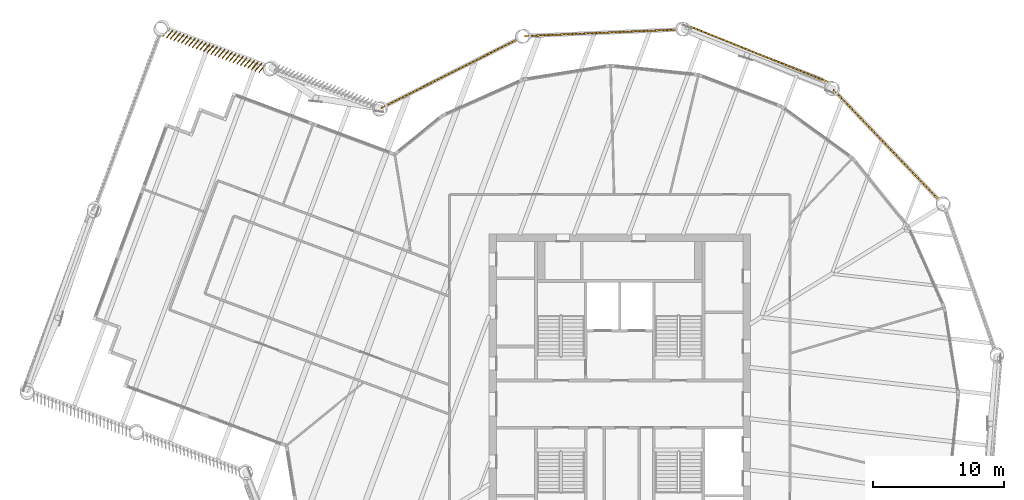
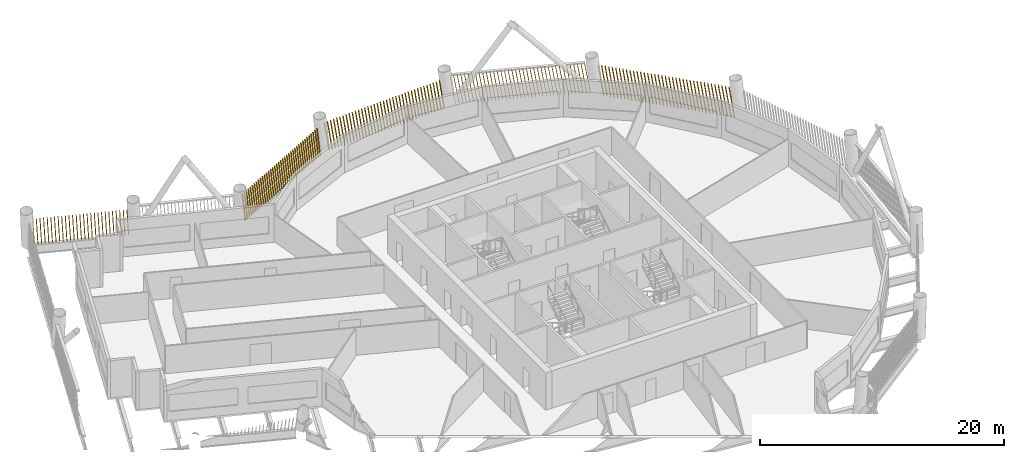
# One storey, part 21 of 22: 5 shading devices.
"""IFC4 building model written with IfcOpenShell, lengths in metres."""

from ifc_helpers import new_model, si_unit, direction, frame, frame_2d, origin, place, context, subcontext, project, spatial, rectangle, composite_profile, extrude, material, type_object, element, save


model = new_model("IFC4")

# Units and contexts
model_context = context("Model", 3, precision=1e-05, world=origin(), true_north=direction((0.0, 1.0)))
body_context = subcontext(model_context, "Body", "Model", "MODEL_VIEW")
ifc_project = project(units=[si_unit("LENGTHUNIT", "METRE"), si_unit("AREAUNIT", "SQUARE_METRE"), si_unit("VOLUMEUNIT", "CUBIC_METRE"), si_unit("PLANEANGLEUNIT", "RADIAN"), si_unit("MASSUNIT", "GRAM", prefix="KILO")], contexts=[model_context])

# Site, building, storey
site_placement = place(None, origin())
site = spatial("IfcSite", under=ifc_project, at=site_placement, CompositionType="ELEMENT")
building_placement = place(site_placement, origin())
building = spatial("IfcBuilding", under=site, at=building_placement, Name="Tarsis Ring Headquarters", CompositionType="ELEMENT")
storey_placement = place(building_placement, frame((0.0, 0.0, 200.39990234375)))
storey = spatial("IfcBuildingStorey", under=building, at=storey_placement, Name="L46", CompositionType="ELEMENT", Elevation=200.39990234375)

# Shading devices
ifc_material = material(Name="Terracotta baguette", Category="masonry")
shading_device_type = type_object("IfcShadingDeviceType", Name="Terracotta baguette screen", PredefinedType="USERDEFINED", material=ifc_material)
shading_device_1_placement = place(storey_placement, frame((24.406494140625, 15.56494140625, 0.0), z_axis=(0.0, 0.0, 1.0), x_axis=(-0.691270943658, 0.722588766386, 0.0)))
element("IfcShadingDevice", 1, at=shading_device_1_placement, inside=storey, type_object=shading_device_type, Name="Baguette screen L46-11", ObjectType="Terracotta baguette screen", PredefinedType="USERDEFINED", context=body_context, shape_type="SweptSolid", body=[
    extrude(composite_profile([rectangle(XDim=0.06005859375, YDim=0.1201171875, at=frame_2d((0.030029296875, 0.0))), rectangle(XDim=0.06005859375, YDim=0.1201171875, at=frame_2d((0.33251953125, 0.0))), rectangle(XDim=0.06005859375, YDim=0.1201171875, at=frame_2d((0.634765625, 0.0))), rectangle(XDim=0.06005859375, YDim=0.1201171875, at=frame_2d((0.937255859375, 0.0))), rectangle(XDim=0.06005859375, YDim=0.1201171875, at=frame_2d((1.239501953125, 0.0))), rectangle(XDim=0.06005859375, YDim=0.1201171875, at=frame_2d((1.5419921875, 0.0))), rectangle(XDim=0.06005859375, YDim=0.1201171875, at=frame_2d((1.844482421875, 0.0))), rectangle(XDim=0.06005859375, YDim=0.1201171875, at=frame_2d((2.146728515625, 0.0))), rectangle(XDim=0.06005859375, YDim=0.1201171875, at=frame_2d((2.44921875, 0.0))), rectangle(XDim=0.06005859375, YDim=0.1201171875, at=frame_2d((2.751708984375, 0.0))), rectangle(XDim=0.06005859375, YDim=0.1201171875, at=frame_2d((3.053955078125, 0.0))), rectangle(XDim=0.06005859375, YDim=0.1201171875, at=frame_2d((3.3564453125, 0.0))), rectangle(XDim=0.06005859375, YDim=0.1201171875, at=frame_2d((3.65869140625, 0.0))), rectangle(XDim=0.06005859375, YDim=0.1201171875, at=frame_2d((3.961181640625, 0.0))), rectangle(XDim=0.06005859375, YDim=0.1201171875, at=frame_2d((4.263671875, 0.0))), rectangle(XDim=0.06005859375, YDim=0.1201171875, at=frame_2d((4.56591796875, 0.0))), rectangle(XDim=0.06005859375, YDim=0.1201171875, at=frame_2d((4.868408203125, 0.0))), rectangle(XDim=0.06005859375, YDim=0.1201171875, at=frame_2d((5.1708984375, 0.0))), rectangle(XDim=0.06005859375, YDim=0.1201171875, at=frame_2d((5.47314453125, 0.0))), rectangle(XDim=0.06005859375, YDim=0.1201171875, at=frame_2d((5.775634765625, 0.0))), rectangle(XDim=0.06005859375, YDim=0.1201171875, at=frame_2d((6.077880859375, 0.0))), rectangle(XDim=0.06005859375, YDim=0.1201171875, at=frame_2d((6.38037109375, 0.0))), rectangle(XDim=0.06005859375, YDim=0.1201171875, at=frame_2d((6.682861328125, 0.0))), rectangle(XDim=0.06005859375, YDim=0.1201171875, at=frame_2d((6.985107421875, 0.0))), rectangle(XDim=0.06005859375, YDim=0.1201171875, at=frame_2d((7.28759765625, 0.0))), rectangle(XDim=0.06005859375, YDim=0.1201171875, at=frame_2d((7.590087890625, 0.0))), rectangle(XDim=0.06005859375, YDim=0.1201171875, at=frame_2d((7.892333984375, 0.0))), rectangle(XDim=0.06005859375, YDim=0.1201171875, at=frame_2d((8.19482421875, 0.0))), rectangle(XDim=0.06005859375, YDim=0.1201171875, at=frame_2d((8.4970703125, 0.0))), rectangle(XDim=0.06005859375, YDim=0.1201171875, at=frame_2d((8.799560546875, 0.0))), rectangle(XDim=0.06005859375, YDim=0.1201171875, at=frame_2d((9.10205078125, 0.0))), rectangle(XDim=0.06005859375, YDim=0.1201171875, at=frame_2d((9.404296875, 0.0))), rectangle(XDim=0.06005859375, YDim=0.1201171875, at=frame_2d((9.706787109375, 0.0))), rectangle(XDim=0.06005859375, YDim=0.1201171875, at=frame_2d((10.00927734375, 0.0))), rectangle(XDim=0.06005859375, YDim=0.1201171875, at=frame_2d((10.3115234375, 0.0))), rectangle(XDim=0.06005859375, YDim=0.1201171875, at=frame_2d((10.614013671875, 0.0))), rectangle(XDim=0.06005859375, YDim=0.1201171875, at=frame_2d((10.916259765625, 0.0))), rectangle(XDim=0.06005859375, YDim=0.1201171875, at=frame_2d((11.21875, 0.0)))]), origin(), (0.159202617303, 0.001334054598, 0.987245028826), 2.98828125),
])
shading_device_2_placement = place(storey_placement, frame((15.9609375, 24.589111328125, 0.0), z_axis=(0.0, 0.0, 1.0), x_axis=(-0.927662991579, 0.373426512718, 0.0)))
element("IfcShadingDevice", 2, at=shading_device_2_placement, inside=storey, type_object=shading_device_type, Name="Baguette screen L46-12", ObjectType="Terracotta baguette screen", PredefinedType="USERDEFINED", context=body_context, shape_type="SweptSolid", body=[
    extrude(composite_profile([rectangle(XDim=0.06005859375, YDim=0.1201171875, at=frame_2d((0.030029296875, 0.0))), rectangle(XDim=0.06005859375, YDim=0.1201171875, at=frame_2d((0.33251953125, 0.0))), rectangle(XDim=0.06005859375, YDim=0.1201171875, at=frame_2d((0.634765625, 0.0))), rectangle(XDim=0.06005859375, YDim=0.1201171875, at=frame_2d((0.937255859375, 0.0))), rectangle(XDim=0.06005859375, YDim=0.1201171875, at=frame_2d((1.239501953125, 0.0))), rectangle(XDim=0.06005859375, YDim=0.1201171875, at=frame_2d((1.5419921875, 0.0))), rectangle(XDim=0.06005859375, YDim=0.1201171875, at=frame_2d((1.844482421875, 0.0))), rectangle(XDim=0.06005859375, YDim=0.1201171875, at=frame_2d((2.146728515625, 0.0))), rectangle(XDim=0.06005859375, YDim=0.1201171875, at=frame_2d((2.44921875, 0.0))), rectangle(XDim=0.06005859375, YDim=0.1201171875, at=frame_2d((2.751708984375, 0.0))), rectangle(XDim=0.06005859375, YDim=0.1201171875, at=frame_2d((3.053955078125, 0.0))), rectangle(XDim=0.06005859375, YDim=0.1201171875, at=frame_2d((3.3564453125, 0.0))), rectangle(XDim=0.06005859375, YDim=0.1201171875, at=frame_2d((3.65869140625, 0.0))), rectangle(XDim=0.06005859375, YDim=0.1201171875, at=frame_2d((3.961181640625, 0.0))), rectangle(XDim=0.06005859375, YDim=0.1201171875, at=frame_2d((4.263671875, 0.0))), rectangle(XDim=0.06005859375, YDim=0.1201171875, at=frame_2d((4.56591796875, 0.0))), rectangle(XDim=0.06005859375, YDim=0.1201171875, at=frame_2d((4.868408203125, 0.0))), rectangle(XDim=0.06005859375, YDim=0.1201171875, at=frame_2d((5.1708984375, 0.0))), rectangle(XDim=0.06005859375, YDim=0.1201171875, at=frame_2d((5.47314453125, 0.0))), rectangle(XDim=0.06005859375, YDim=0.1201171875, at=frame_2d((5.775634765625, 0.0))), rectangle(XDim=0.06005859375, YDim=0.1201171875, at=frame_2d((6.077880859375, 0.0))), rectangle(XDim=0.06005859375, YDim=0.1201171875, at=frame_2d((6.38037109375, 0.0))), rectangle(XDim=0.06005859375, YDim=0.1201171875, at=frame_2d((6.682861328125, 0.0))), rectangle(XDim=0.06005859375, YDim=0.1201171875, at=frame_2d((6.985107421875, 0.0))), rectangle(XDim=0.06005859375, YDim=0.1201171875, at=frame_2d((7.28759765625, 0.0))), rectangle(XDim=0.06005859375, YDim=0.1201171875, at=frame_2d((7.590087890625, 0.0))), rectangle(XDim=0.06005859375, YDim=0.1201171875, at=frame_2d((7.892333984375, 0.0))), rectangle(XDim=0.06005859375, YDim=0.1201171875, at=frame_2d((8.19482421875, 0.0))), rectangle(XDim=0.06005859375, YDim=0.1201171875, at=frame_2d((8.4970703125, 0.0))), rectangle(XDim=0.06005859375, YDim=0.1201171875, at=frame_2d((8.799560546875, 0.0))), rectangle(XDim=0.06005859375, YDim=0.1201171875, at=frame_2d((9.10205078125, 0.0))), rectangle(XDim=0.06005859375, YDim=0.1201171875, at=frame_2d((9.404296875, 0.0))), rectangle(XDim=0.06005859375, YDim=0.1201171875, at=frame_2d((9.706787109375, 0.0))), rectangle(XDim=0.06005859375, YDim=0.1201171875, at=frame_2d((10.00927734375, 0.0))), rectangle(XDim=0.06005859375, YDim=0.1201171875, at=frame_2d((10.3115234375, 0.0))), rectangle(XDim=0.06005859375, YDim=0.1201171875, at=frame_2d((10.614013671875, 0.0))), rectangle(XDim=0.06005859375, YDim=0.1201171875, at=frame_2d((10.916259765625, 0.0))), rectangle(XDim=0.06005859375, YDim=0.1201171875, at=frame_2d((11.21875, 0.0)))]), origin(), (0.161252177966, 0.001353105628, 0.986912308266), 2.9892578125),
])
shading_device_3_placement = place(storey_placement, frame((4.42236328125, 28.607421875, 0.0), z_axis=(0.0, 0.0, 1.0), x_axis=(-0.999110165813, -0.042147755882, 0.0)))
element("IfcShadingDevice", 3, at=shading_device_3_placement, inside=storey, type_object=shading_device_type, Name="Baguette screen L46-13", ObjectType="Terracotta baguette screen", PredefinedType="USERDEFINED", context=body_context, shape_type="SweptSolid", body=[
    extrude(composite_profile([rectangle(XDim=0.06005859375, YDim=0.1201171875, at=frame_2d((0.030029296875, 0.0))), rectangle(XDim=0.06005859375, YDim=0.1201171875, at=frame_2d((0.33251953125, 0.0))), rectangle(XDim=0.06005859375, YDim=0.1201171875, at=frame_2d((0.634765625, 0.0))), rectangle(XDim=0.06005859375, YDim=0.1201171875, at=frame_2d((0.937255859375, 0.0))), rectangle(XDim=0.06005859375, YDim=0.1201171875, at=frame_2d((1.239501953125, 0.0))), rectangle(XDim=0.06005859375, YDim=0.1201171875, at=frame_2d((1.5419921875, 0.0))), rectangle(XDim=0.06005859375, YDim=0.1201171875, at=frame_2d((1.844482421875, 0.0))), rectangle(XDim=0.06005859375, YDim=0.1201171875, at=frame_2d((2.146728515625, 0.0))), rectangle(XDim=0.06005859375, YDim=0.1201171875, at=frame_2d((2.44921875, 0.0))), rectangle(XDim=0.06005859375, YDim=0.1201171875, at=frame_2d((2.751708984375, 0.0))), rectangle(XDim=0.06005859375, YDim=0.1201171875, at=frame_2d((3.053955078125, 0.0))), rectangle(XDim=0.06005859375, YDim=0.1201171875, at=frame_2d((3.3564453125, 0.0))), rectangle(XDim=0.06005859375, YDim=0.1201171875, at=frame_2d((3.65869140625, 0.0))), rectangle(XDim=0.06005859375, YDim=0.1201171875, at=frame_2d((3.961181640625, 0.0))), rectangle(XDim=0.06005859375, YDim=0.1201171875, at=frame_2d((4.263671875, 0.0))), rectangle(XDim=0.06005859375, YDim=0.1201171875, at=frame_2d((4.56591796875, 0.0))), rectangle(XDim=0.06005859375, YDim=0.1201171875, at=frame_2d((4.868408203125, 0.0))), rectangle(XDim=0.06005859375, YDim=0.1201171875, at=frame_2d((5.1708984375, 0.0))), rectangle(XDim=0.06005859375, YDim=0.1201171875, at=frame_2d((5.47314453125, 0.0))), rectangle(XDim=0.06005859375, YDim=0.1201171875, at=frame_2d((5.775634765625, 0.0))), rectangle(XDim=0.06005859375, YDim=0.1201171875, at=frame_2d((6.077880859375, 0.0))), rectangle(XDim=0.06005859375, YDim=0.1201171875, at=frame_2d((6.38037109375, 0.0))), rectangle(XDim=0.06005859375, YDim=0.1201171875, at=frame_2d((6.682861328125, 0.0))), rectangle(XDim=0.06005859375, YDim=0.1201171875, at=frame_2d((6.985107421875, 0.0))), rectangle(XDim=0.06005859375, YDim=0.1201171875, at=frame_2d((7.28759765625, 0.0))), rectangle(XDim=0.06005859375, YDim=0.1201171875, at=frame_2d((7.590087890625, 0.0))), rectangle(XDim=0.06005859375, YDim=0.1201171875, at=frame_2d((7.892333984375, 0.0))), rectangle(XDim=0.06005859375, YDim=0.1201171875, at=frame_2d((8.19482421875, 0.0))), rectangle(XDim=0.06005859375, YDim=0.1201171875, at=frame_2d((8.4970703125, 0.0))), rectangle(XDim=0.06005859375, YDim=0.1201171875, at=frame_2d((8.799560546875, 0.0))), rectangle(XDim=0.06005859375, YDim=0.1201171875, at=frame_2d((9.10205078125, 0.0))), rectangle(XDim=0.06005859375, YDim=0.1201171875, at=frame_2d((9.404296875, 0.0))), rectangle(XDim=0.06005859375, YDim=0.1201171875, at=frame_2d((9.706787109375, 0.0))), rectangle(XDim=0.06005859375, YDim=0.1201171875, at=frame_2d((10.00927734375, 0.0))), rectangle(XDim=0.06005859375, YDim=0.1201171875, at=frame_2d((10.3115234375, 0.0))), rectangle(XDim=0.06005859375, YDim=0.1201171875, at=frame_2d((10.614013671875, 0.0))), rectangle(XDim=0.06005859375, YDim=0.1201171875, at=frame_2d((10.916259765625, 0.0))), rectangle(XDim=0.06005859375, YDim=0.1201171875, at=frame_2d((11.21875, 0.0)))]), origin(), (0.159203407345, 0.001335444348, 0.987244899545), 2.98828125),
])
shading_device_4_placement = place(storey_placement, frame((-7.762451171875, 27.886962890625, 0.0), z_axis=(0.0, 0.0, 1.0), x_axis=(-0.892913727618, -0.450244167119, 0.0)))
element("IfcShadingDevice", 4, at=shading_device_4_placement, inside=storey, type_object=shading_device_type, Name="Baguette screen L46-14", ObjectType="Terracotta baguette screen", PredefinedType="USERDEFINED", context=body_context, shape_type="SweptSolid", body=[
    extrude(composite_profile([rectangle(XDim=0.06005859375, YDim=0.1201171875, at=frame_2d((0.030029296875, 0.0))), rectangle(XDim=0.06005859375, YDim=0.1201171875, at=frame_2d((0.33251953125, 0.0))), rectangle(XDim=0.06005859375, YDim=0.1201171875, at=frame_2d((0.634765625, 0.0))), rectangle(XDim=0.06005859375, YDim=0.1201171875, at=frame_2d((0.937255859375, 0.0))), rectangle(XDim=0.06005859375, YDim=0.1201171875, at=frame_2d((1.239501953125, 0.0))), rectangle(XDim=0.06005859375, YDim=0.1201171875, at=frame_2d((1.5419921875, 0.0))), rectangle(XDim=0.06005859375, YDim=0.1201171875, at=frame_2d((1.844482421875, 0.0))), rectangle(XDim=0.06005859375, YDim=0.1201171875, at=frame_2d((2.146728515625, 0.0))), rectangle(XDim=0.06005859375, YDim=0.1201171875, at=frame_2d((2.44921875, 0.0))), rectangle(XDim=0.06005859375, YDim=0.1201171875, at=frame_2d((2.751708984375, 0.0))), rectangle(XDim=0.06005859375, YDim=0.1201171875, at=frame_2d((3.053955078125, 0.0))), rectangle(XDim=0.06005859375, YDim=0.1201171875, at=frame_2d((3.3564453125, 0.0))), rectangle(XDim=0.06005859375, YDim=0.1201171875, at=frame_2d((3.65869140625, 0.0))), rectangle(XDim=0.06005859375, YDim=0.1201171875, at=frame_2d((3.961181640625, 0.0))), rectangle(XDim=0.06005859375, YDim=0.1201171875, at=frame_2d((4.263671875, 0.0))), rectangle(XDim=0.06005859375, YDim=0.1201171875, at=frame_2d((4.56591796875, 0.0))), rectangle(XDim=0.06005859375, YDim=0.1201171875, at=frame_2d((4.868408203125, 0.0))), rectangle(XDim=0.06005859375, YDim=0.1201171875, at=frame_2d((5.1708984375, 0.0))), rectangle(XDim=0.06005859375, YDim=0.1201171875, at=frame_2d((5.47314453125, 0.0))), rectangle(XDim=0.06005859375, YDim=0.1201171875, at=frame_2d((5.775634765625, 0.0))), rectangle(XDim=0.06005859375, YDim=0.1201171875, at=frame_2d((6.077880859375, 0.0))), rectangle(XDim=0.06005859375, YDim=0.1201171875, at=frame_2d((6.38037109375, 0.0))), rectangle(XDim=0.06005859375, YDim=0.1201171875, at=frame_2d((6.682861328125, 0.0))), rectangle(XDim=0.06005859375, YDim=0.1201171875, at=frame_2d((6.985107421875, 0.0))), rectangle(XDim=0.06005859375, YDim=0.1201171875, at=frame_2d((7.28759765625, 0.0))), rectangle(XDim=0.06005859375, YDim=0.1201171875, at=frame_2d((7.590087890625, 0.0))), rectangle(XDim=0.06005859375, YDim=0.1201171875, at=frame_2d((7.892333984375, 0.0))), rectangle(XDim=0.06005859375, YDim=0.1201171875, at=frame_2d((8.19482421875, 0.0))), rectangle(XDim=0.06005859375, YDim=0.1201171875, at=frame_2d((8.4970703125, 0.0))), rectangle(XDim=0.06005859375, YDim=0.1201171875, at=frame_2d((8.799560546875, 0.0))), rectangle(XDim=0.06005859375, YDim=0.1201171875, at=frame_2d((9.10205078125, 0.0))), rectangle(XDim=0.06005859375, YDim=0.1201171875, at=frame_2d((9.404296875, 0.0))), rectangle(XDim=0.06005859375, YDim=0.1201171875, at=frame_2d((9.706787109375, 0.0))), rectangle(XDim=0.06005859375, YDim=0.1201171875, at=frame_2d((10.00927734375, 0.0))), rectangle(XDim=0.06005859375, YDim=0.1201171875, at=frame_2d((10.3115234375, 0.0))), rectangle(XDim=0.06005859375, YDim=0.1201171875, at=frame_2d((10.614013671875, 0.0))), rectangle(XDim=0.06005859375, YDim=0.1201171875, at=frame_2d((10.916259765625, 0.0))), rectangle(XDim=0.06005859375, YDim=0.1201171875, at=frame_2d((11.21875, 0.0)))]), origin(), (0.15920459817, 0.001332750051, 0.987244711153), 2.98828125),
])
shading_device_5_placement = place(storey_placement, frame((-27.0634765625, 25.880859375, 0.0), z_axis=(0.0, 0.0, 1.0), x_axis=(-0.937036579338, 0.349202916461, 0.0)))
element("IfcShadingDevice", 5, at=shading_device_5_placement, inside=storey, type_object=shading_device_type, Name="Baguette screen L46-16", ObjectType="Terracotta baguette screen", PredefinedType="USERDEFINED", context=body_context, shape_type="SweptSolid", body=[
    extrude(composite_profile([rectangle(XDim=0.06005859375, YDim=0.1201171875, at=frame_2d((0.030029296875, 0.0))), rectangle(XDim=0.06005859375, YDim=0.1201171875, at=frame_2d((0.33154296875, 0.0))), rectangle(XDim=0.06005859375, YDim=0.1201171875, at=frame_2d((0.63330078125, 0.0))), rectangle(XDim=0.06005859375, YDim=0.1201171875, at=frame_2d((0.934814453125, 0.0))), rectangle(XDim=0.06005859375, YDim=0.1201171875, at=frame_2d((1.236572265625, 0.0))), rectangle(XDim=0.06005859375, YDim=0.1201171875, at=frame_2d((1.5380859375, 0.0))), rectangle(XDim=0.06005859375, YDim=0.1201171875, at=frame_2d((1.83984375, 0.0))), rectangle(XDim=0.06005859375, YDim=0.1201171875, at=frame_2d((2.141357421875, 0.0))), rectangle(XDim=0.06005859375, YDim=0.1201171875, at=frame_2d((2.443115234375, 0.0))), rectangle(XDim=0.06005859375, YDim=0.1201171875, at=frame_2d((2.74462890625, 0.0))), rectangle(XDim=0.06005859375, YDim=0.1201171875, at=frame_2d((3.04638671875, 0.0))), rectangle(XDim=0.06005859375, YDim=0.1201171875, at=frame_2d((3.347900390625, 0.0))), rectangle(XDim=0.06005859375, YDim=0.1201171875, at=frame_2d((3.649658203125, 0.0))), rectangle(XDim=0.06005859375, YDim=0.1201171875, at=frame_2d((3.951171875, 0.0))), rectangle(XDim=0.06005859375, YDim=0.1201171875, at=frame_2d((4.252685546875, 0.0))), rectangle(XDim=0.06005859375, YDim=0.1201171875, at=frame_2d((4.554443359375, 0.0))), rectangle(XDim=0.06005859375, YDim=0.1201171875, at=frame_2d((4.85595703125, 0.0))), rectangle(XDim=0.06005859375, YDim=0.1201171875, at=frame_2d((5.15771484375, 0.0))), rectangle(XDim=0.06005859375, YDim=0.1201171875, at=frame_2d((5.459228515625, 0.0))), rectangle(XDim=0.06005859375, YDim=0.1201171875, at=frame_2d((5.760986328125, 0.0))), rectangle(XDim=0.06005859375, YDim=0.1201171875, at=frame_2d((6.0625, 0.0))), rectangle(XDim=0.06005859375, YDim=0.1201171875, at=frame_2d((6.3642578125, 0.0))), rectangle(XDim=0.06005859375, YDim=0.1201171875, at=frame_2d((6.665771484375, 0.0))), rectangle(XDim=0.06005859375, YDim=0.1201171875, at=frame_2d((6.967529296875, 0.0))), rectangle(XDim=0.06005859375, YDim=0.1201171875, at=frame_2d((7.26904296875, 0.0))), rectangle(XDim=0.06005859375, YDim=0.1201171875, at=frame_2d((7.57080078125, 0.0))), rectangle(XDim=0.06005859375, YDim=0.1201171875, at=frame_2d((7.872314453125, 0.0)))]), origin(), (0.080076568196, 0.212765429678, 0.973816520275), 3.029541015625),
])

save(model, "model.ifc")
